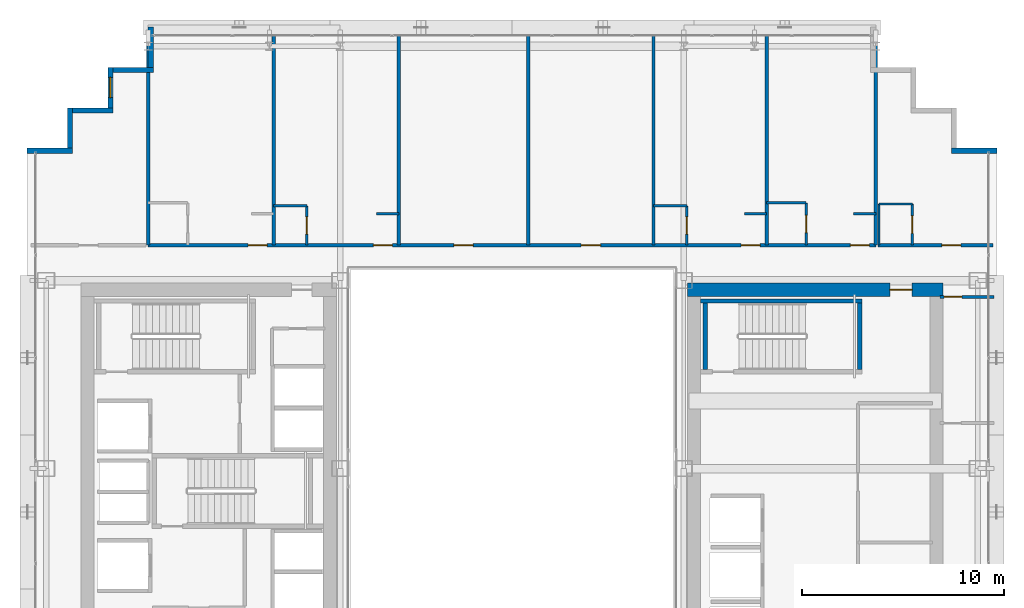
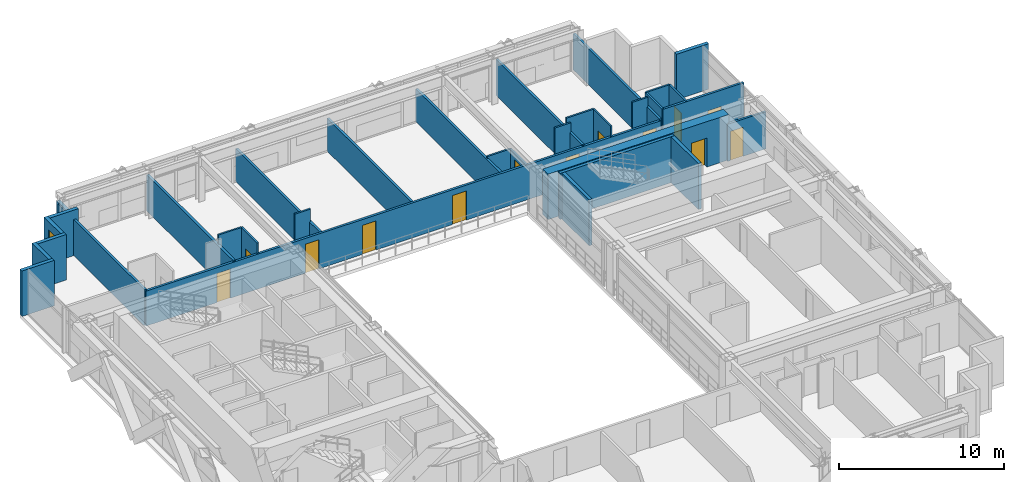
# One storey, part 34 of 39: 33 walls, 13 doors, 1 window, 14 openings.
"""IFC4 building model written with IfcOpenShell, lengths in metres."""

from ifc_helpers import new_model, si_unit, direction, frame, frame_2d, origin, place, context, subcontext, project, spatial, rectangle, extrude, source, transform, mapped, material, layer, layer_set, type_object, element, fill, save


model = new_model("IFC4")

# Units and contexts
model_context = context("Model", 3, precision=1e-05, world=origin(), true_north=direction((0.0, 1.0)))
body_context = subcontext(model_context, "Body", "Model", "MODEL_VIEW")
ifc_project = project(units=[si_unit("LENGTHUNIT", "METRE"), si_unit("AREAUNIT", "SQUARE_METRE"), si_unit("VOLUMEUNIT", "CUBIC_METRE"), si_unit("PLANEANGLEUNIT", "RADIAN"), si_unit("MASSUNIT", "GRAM", prefix="KILO")], contexts=[model_context])

# Site, building, storey
site_placement = place(None, origin())
site = spatial("IfcSite", under=ifc_project, at=site_placement, CompositionType="ELEMENT")
building_placement = place(site_placement, origin())
building = spatial("IfcBuilding", under=site, at=building_placement, Name="Ocotamira Hotel", CompositionType="ELEMENT")
storey_placement = place(building_placement, frame((0.0, 0.0, 126.0)))
storey = spatial("IfcBuildingStorey", under=building, at=storey_placement, Name="L31", CompositionType="ELEMENT", Elevation=126.0)

# Wall, opening, door
ifc_material_1 = material(Name="Concrete C60/75", Category="concrete")
ifc_layer_1 = layer(ifc_material_1, 0.64990234375)
ifc_layer_set_1 = layer_set([ifc_layer_1], Name="Concrete C60/75")
wall_type_1 = type_object("IfcWallType", Name="WL-CORE-650", PredefinedType="SHEAR", material=ifc_layer_set_1)
wall_1_placement = place(storey_placement, frame((40.675048828125, 37.0, 0.0), z_axis=(0.0, 0.0, 1.0), x_axis=(1.0, 0.0, 0.0)))
wall_1 = element("IfcWall", 1, at=wall_1_placement, inside=storey, type_object=wall_type_1, Name="L31 Shear Core Wall ECORE-N", PredefinedType="SHEAR", context=body_context, shape_type="SweptSolid", body=[
    extrude(rectangle(XDim=12.64990234375, YDim=0.64990234375, at=frame_2d((6.324951171875, 0.0))), origin(), (0.0, 0.0, 1.0), 3.360107421875),
])
opening_1_placement = place(wall_1_placement, frame((10.02490234375, 0.0, 0.0)))
opening_1 = element("IfcOpeningElement", 2, at=opening_1_placement, cuts=wall_1, Name="Opening D-FR1", PredefinedType="OPENING", context=body_context, shape_type="SweptSolid", body=[
    extrude(rectangle(XDim=1.10009765625, YDim=2.14990234375, at=frame_2d((0.550048828125, 1.074951171875))), frame((0.0, 0.3349609375, 0.0), z_axis=(0.0, -1.0, 0.0), x_axis=(1.0, 0.0, 0.0)), (0.0, 0.0, 1.0), 0.669921875),
])
ifc_material_2 = material(Name="Fire-rated acoustic timber-veneer door", Category="wood")
door_type_1 = type_object("IfcDoorType", Name="DR-FIRE-1100", OperationType="NOTDEFINED", PredefinedType="DOOR", material=ifc_material_2)
shared_shape_1 = source(origin(), body_context, "Body", "SweptSolid", [
    extrude(rectangle(XDim=1.10009765625, YDim=2.14990234375, at=frame_2d((0.550048828125, 1.074951171875))), frame((0.0, 0.02490234375, 0.0), z_axis=(0.0, -1.0, 0.0), x_axis=(1.0, 0.0, 0.0)), (0.0, 0.0, 1.0), 0.050048828125),
])
door_1_placement = place(opening_1_placement, origin())
door_1 = element("IfcDoor", 3, at=door_1_placement, inside=storey, type_object=door_type_1, Name="L31 Door ID-L31-ELOB-N-D [ID-L31-ELOB-N-D]", OperationType="SINGLE_SWING_LEFT", OverallHeight=2.14990234375, OverallWidth=1.10009765625, PredefinedType="DOOR", context=body_context, shape_type="MappedRepresentation", body=[
    mapped(shared_shape_1, transform((0.0, 0.0, 0.0), scale=1.0)),
])
fill(opening_1, door_1)

# Walls
ifc_material_3 = material(Name="Precast concrete C45/55", Category="concrete")
ifc_layer_2 = layer(ifc_material_3, 0.25)
ifc_layer_set_2 = layer_set([ifc_layer_2], Name="Precast concrete C45/55")
wall_type_2 = type_object("IfcWallType", Name="WL-EXT-SER-250", PredefinedType="SOLIDWALL", material=ifc_layer_set_2)
wall_2_placement = place(storey_placement, frame((56.0, 43.875, 0.0), z_axis=(0.0, 0.0, 1.0), x_axis=(-1.0, 0.0, 0.0)))
element("IfcWall", 4, at=wall_2_placement, inside=storey, type_object=wall_type_2, Name="L31 Serrated Corner Wall 07", PredefinedType="SOLIDWALL", context=body_context, shape_type="SweptSolid", body=[
    extrude(rectangle(XDim=2.25, YDim=0.25, at=frame_2d((1.125, 0.0))), origin(), (0.0, 0.0, 1.0), 3.360107421875),
])
wall_3_placement = place(storey_placement, frame((14.125, 50.0, 0.0), z_axis=(0.0, 0.0, 1.0), x_axis=(0.0, -1.0, 0.0)))
element("IfcWall", 5, at=wall_3_placement, inside=storey, type_object=wall_type_2, Name="L31 Serrated Corner Wall 13", PredefinedType="SOLIDWALL", context=body_context, shape_type="SweptSolid", body=[
    extrude(rectangle(XDim=2.0, YDim=0.25, at=frame_2d((1.0, 0.0))), origin(), (0.0, 0.0, 1.0), 2.6669921875),
])
wall_4_placement = place(storey_placement, frame((14.25, 47.875, 0.0), z_axis=(0.0, 0.0, 1.0), x_axis=(-1.0, 0.0, 0.0)))
element("IfcWall", 6, at=wall_4_placement, inside=storey, type_object=wall_type_2, Name="L31 Serrated Corner Wall 14", PredefinedType="SOLIDWALL", context=body_context, shape_type="SweptSolid", body=[
    extrude(rectangle(XDim=2.0, YDim=0.25, at=frame_2d((1.0, 0.0))), origin(), (0.0, 0.0, 1.0), 3.360107421875),
])

# Wall, opening, window
wall_5_placement = place(storey_placement, frame((12.125, 48.0, 0.0), z_axis=(0.0, 0.0, 1.0), x_axis=(0.0, -1.0, 0.0)))
wall_5 = element("IfcWall", 7, at=wall_5_placement, inside=storey, type_object=wall_type_2, Name="L31 Serrated Corner Wall 15", PredefinedType="SOLIDWALL", context=body_context, shape_type="SweptSolid", body=[
    extrude(rectangle(XDim=2.0, YDim=0.25, at=frame_2d((1.0, 0.0))), origin(), (0.0, 0.0, 1.0), 3.360107421875),
])
opening_2_placement = place(wall_5_placement, frame((0.5, 0.0, 0.85009765625)))
opening_2 = element("IfcOpeningElement", 8, at=opening_2_placement, cuts=wall_5, Name="Opening WN-2", PredefinedType="OPENING", context=body_context, shape_type="SweptSolid", body=[
    extrude(rectangle(XDim=1.0, YDim=1.89990234375, at=frame_2d((0.5, 0.949951171875))), frame((0.0, 0.135009765625, 0.0), z_axis=(0.0, -1.0, 0.0), x_axis=(1.0, 0.0, 0.0)), (0.0, 0.0, 1.0), 0.27001953125),
])
ifc_material_4 = material(Name="Double-silver low-E solar glass", Category="glass")
window_type = type_object("IfcWindowType", Name="WIN-SER-1100", PartitioningType="SINGLE_PANEL", PredefinedType="WINDOW", material=ifc_material_4)
shared_shape_2 = source(origin(), body_context, "Body", "SweptSolid", [
    extrude(rectangle(XDim=1.0, YDim=1.89990234375, at=frame_2d((0.5, 0.949951171875))), frame((0.0, 0.030029296875, 0.0), z_axis=(0.0, -1.0, 0.0), x_axis=(1.0, 0.0, 0.0)), (0.0, 0.0, 1.0), 0.06005859375),
])
window_placement = place(opening_2_placement, origin())
window = element("IfcWindow", 9, at=window_placement, inside=storey, type_object=window_type, Name="L31 Serrated Corner Window 15", OverallHeight=1.89990234375, OverallWidth=1.0, PartitioningType="SINGLE_PANEL", PredefinedType="WINDOW", context=body_context, shape_type="MappedRepresentation", body=[
    mapped(shared_shape_2, transform((0.0, 0.0, 0.0), scale=1.0)),
])
fill(opening_2, window)

# Walls
for number, where, z_axis, x_axis, name in (
    (10, (12.25, 45.875, 0.0), (0.0, 0.0, 1.0), (-1.0, 0.0, 0.0), "L31 Serrated Corner Wall 16"),
    (11, (10.125, 46.0, 0.0), (0.0, 0.0, 1.0), (0.0, -1.0, 0.0), "L31 Serrated Corner Wall 17"),
):
    element("IfcWall", number, at=place(storey_placement, frame(where, z_axis=z_axis, x_axis=x_axis)), inside=storey, type_object=wall_type_2, Name=name, PredefinedType="SOLIDWALL", context=body_context, shape_type="SweptSolid", body=[
        extrude(rectangle(XDim=2.0, YDim=0.25, at=frame_2d((1.0, 0.0))), origin(), (0.0, 0.0, 1.0), 3.360107421875),
    ])
wall_6_placement = place(storey_placement, frame((10.25, 43.875, 0.0), z_axis=(0.0, 0.0, 1.0), x_axis=(-1.0, 0.0, 0.0)))
element("IfcWall", 12, at=wall_6_placement, inside=storey, type_object=wall_type_2, Name="L31 Serrated Corner Wall 18", PredefinedType="SOLIDWALL", context=body_context, shape_type="SweptSolid", body=[
    extrude(rectangle(XDim=2.25, YDim=0.25, at=frame_2d((1.125, 0.0))), origin(), (0.0, 0.0, 1.0), 3.360107421875),
])

# Wall, opening, door
ifc_material_5 = material(Name="Acoustic double-layer fire gypsum board partition", Category="gypsum")
ifc_layer_3 = layer(ifc_material_5, 0.159912109375)
ifc_layer_set_3 = layer_set([ifc_layer_3], Name="Acoustic double-layer fire gypsum board partition")
wall_type_3 = type_object("IfcWallType", Name="WL-FIRE-160", PredefinedType="PARTITIONING", material=ifc_layer_set_3)
wall_7_placement = place(storey_placement, frame((50.1201171875, 39.199951171875, 0.0), z_axis=(0.0, 0.0, 1.0), x_axis=(1.0, 0.0, 0.0)))
wall_7 = element("IfcWall", 13, at=wall_7_placement, inside=storey, type_object=wall_type_3, Name="L31 Interior Wall PW-L31-Z2C-CNE-CW", PredefinedType="PARTITIONING", context=body_context, shape_type="SweptSolid", body=[
    extrude(rectangle(XDim=5.679931640625, YDim=0.159912109375, at=frame_2d((2.83984375, 0.0))), origin(), (0.0, 0.0, 1.0), 3.360107421875),
])
opening_3_placement = place(wall_7_placement, frame((3.14990234375, 0.0, 0.0)))
opening_3 = element("IfcOpeningElement", 14, at=opening_3_placement, cuts=wall_7, Name="Opening D-GR1", PredefinedType="OPENING", context=body_context, shape_type="SweptSolid", body=[
    extrude(rectangle(XDim=0.93994140625, YDim=2.14990234375, at=frame_2d((0.469970703125, 1.074951171875))), frame((0.0, 0.08984375, 0.0), z_axis=(0.0, -1.0, 0.0), x_axis=(1.0, 0.0, 0.0)), (0.0, 0.0, 1.0), 0.179931640625),
])
ifc_material_6 = material(Name="Solid-core walnut suite entrance fire door", Category="wood")
door_type_2 = type_object("IfcDoorType", Name="DR-GUEST-940", OperationType="NOTDEFINED", PredefinedType="DOOR", material=ifc_material_6)
shared_shape_3 = source(origin(), body_context, "Body", "SweptSolid", [
    extrude(rectangle(XDim=0.93994140625, YDim=2.14990234375, at=frame_2d((0.469970703125, 1.074951171875))), frame((0.0, 0.02490234375, 0.0), z_axis=(0.0, -1.0, 0.0), x_axis=(1.0, 0.0, 0.0)), (0.0, 0.0, 1.0), 0.050048828125),
])
door_2_placement = place(opening_3_placement, origin())
door_2 = element("IfcDoor", 15, at=door_2_placement, inside=storey, type_object=door_type_2, Name="L31 Door ID-L31-Z2C-CNE-CD [ID-L31-Z2C-CNE-CD]", OperationType="SINGLE_SWING_RIGHT", OverallHeight=2.14990234375, OverallWidth=0.93994140625, PredefinedType="DOOR", context=body_context, shape_type="MappedRepresentation", body=[
    mapped(shared_shape_3, transform((0.0, 0.0, 0.0), scale=1.0)),
])
fill(opening_3, door_2)

# Wall, openings, doors
wall_8_placement = place(storey_placement, frame((14.0, 39.199951171875, 0.0), z_axis=(0.0, 0.0, 1.0), x_axis=(1.0, 0.0, 0.0)))
wall_8 = element("IfcWall", 16, at=wall_8_placement, inside=storey, type_object=wall_type_3, Name="L31 Interior Wall PW-L31-Z2CN-CORRW", PredefinedType="PARTITIONING", context=body_context, shape_type="SweptSolid", body=[
    extrude(rectangle(XDim=36.0, YDim=0.159912109375, at=frame_2d((18.0, 0.0))), origin(), (0.0, 0.0, 1.0), 2.5810546875),
])
opening_4_placement = place(wall_8_placement, frame((4.93994140625, 0.0, 0.0)))
opening_4 = element("IfcOpeningElement", 17, at=opening_4_placement, cuts=wall_8, Name="Opening D-GR1", PredefinedType="OPENING", context=body_context, shape_type="SweptSolid", body=[
    extrude(rectangle(XDim=0.93994140625, YDim=2.14990234375, at=frame_2d((0.469970703125, 1.074951171875))), frame((0.0, 0.08984375, 0.0), z_axis=(0.0, -1.0, 0.0), x_axis=(1.0, 0.0, 0.0)), (0.0, 0.0, 1.0), 0.179931640625),
])
opening_5_placement = place(wall_8_placement, frame((11.139892578125, 0.0, 0.0)))
opening_5 = element("IfcOpeningElement", 18, at=opening_5_placement, cuts=wall_8, Name="Opening D-GR1", PredefinedType="OPENING", context=body_context, shape_type="SweptSolid", body=[
    extrude(rectangle(XDim=0.93994140625, YDim=2.14990234375, at=frame_2d((0.469970703125, 1.074951171875))), frame((0.0, 0.08984375, 0.0), z_axis=(0.0, -1.0, 0.0), x_axis=(1.0, 0.0, 0.0)), (0.0, 0.0, 1.0), 0.179931640625),
])
opening_6_placement = place(wall_8_placement, frame((15.1201171875, 0.0, 0.0)))
opening_6 = element("IfcOpeningElement", 19, at=opening_6_placement, cuts=wall_8, Name="Opening D-SV4", PredefinedType="OPENING", context=body_context, shape_type="SweptSolid", body=[
    extrude(rectangle(XDim=0.9599609375, YDim=2.14990234375, at=frame_2d((0.47998046875, 1.074951171875))), frame((0.0, 0.08984375, 0.0), z_axis=(0.0, -1.0, 0.0), x_axis=(1.0, 0.0, 0.0)), (0.0, 0.0, 1.0), 0.179931640625),
])
opening_7_placement = place(wall_8_placement, frame((21.419921875, 0.0, 0.0)))
opening_7 = element("IfcOpeningElement", 20, at=opening_7_placement, cuts=wall_8, Name="Opening D-SV4", PredefinedType="OPENING", context=body_context, shape_type="SweptSolid", body=[
    extrude(rectangle(XDim=0.9599609375, YDim=2.14990234375, at=frame_2d((0.47998046875, 1.074951171875))), frame((0.0, 0.08984375, 0.0), z_axis=(0.0, -1.0, 0.0), x_axis=(1.0, 0.0, 0.0)), (0.0, 0.0, 1.0), 0.179931640625),
])
opening_8_placement = place(wall_8_placement, frame((29.340087890625, 0.0, 0.0)))
opening_8 = element("IfcOpeningElement", 21, at=opening_8_placement, cuts=wall_8, Name="Opening D-GR1", PredefinedType="OPENING", context=body_context, shape_type="SweptSolid", body=[
    extrude(rectangle(XDim=0.93994140625, YDim=2.14990234375, at=frame_2d((0.469970703125, 1.074951171875))), frame((0.0, 0.08984375, 0.0), z_axis=(0.0, -1.0, 0.0), x_axis=(1.0, 0.0, 0.0)), (0.0, 0.0, 1.0), 0.179931640625),
])
opening_9_placement = place(wall_8_placement, frame((34.739990234375, 0.0, 0.0)))
opening_9 = element("IfcOpeningElement", 22, at=opening_9_placement, cuts=wall_8, Name="Opening D-GR1", PredefinedType="OPENING", context=body_context, shape_type="SweptSolid", body=[
    extrude(rectangle(XDim=0.93994140625, YDim=2.14990234375, at=frame_2d((0.469970703125, 1.074951171875))), frame((0.0, 0.08984375, 0.0), z_axis=(0.0, -1.0, 0.0), x_axis=(1.0, 0.0, 0.0)), (0.0, 0.0, 1.0), 0.179931640625),
])
ifc_material_7 = material(Name="Fire-rated accessible walnut salon door", Category="wood")
door_type_3 = type_object("IfcDoorType", Name="DR-SERV-960", OperationType="NOTDEFINED", PredefinedType="DOOR", material=ifc_material_7)
shared_shape_4 = source(origin(), body_context, "Body", "SweptSolid", [
    extrude(rectangle(XDim=0.9599609375, YDim=2.14990234375, at=frame_2d((0.47998046875, 1.074951171875))), frame((0.0, 0.02490234375, 0.0), z_axis=(0.0, -1.0, 0.0), x_axis=(1.0, 0.0, 0.0)), (0.0, 0.0, 1.0), 0.050048828125),
])
door_3_placement = place(opening_6_placement, origin())
door_3 = element("IfcDoor", 23, at=door_3_placement, inside=storey, type_object=door_type_3, Name="L31 Door ID-L31-Z2CN-AMD3 [ID-L31-Z2CN-AMD3]", OperationType="SINGLE_SWING_LEFT", OverallHeight=2.14990234375, OverallWidth=0.9599609375, PredefinedType="DOOR", context=body_context, shape_type="MappedRepresentation", body=[
    mapped(shared_shape_4, transform((0.0, 0.0, 0.0), scale=1.0)),
])
fill(opening_6, door_3)
door_4_placement = place(opening_7_placement, origin())
door_4 = element("IfcDoor", 24, at=door_4_placement, inside=storey, type_object=door_type_3, Name="L31 Door ID-L31-Z2CN-AMD4 [ID-L31-Z2CN-AMD4]", OperationType="SINGLE_SWING_RIGHT", OverallHeight=2.14990234375, OverallWidth=0.9599609375, PredefinedType="DOOR", context=body_context, shape_type="MappedRepresentation", body=[
    mapped(shared_shape_4, transform((0.0, 0.0, 0.0), scale=1.0)),
])
fill(opening_7, door_4)
door_5_placement = place(opening_4_placement, origin())
door_5 = element("IfcDoor", 25, at=door_5_placement, inside=storey, type_object=door_type_2, Name="L31 Door ID-L31-Z2CN-RMD1 [ID-L31-Z2CN-RMD1]", OperationType="SINGLE_SWING_LEFT", OverallHeight=2.14990234375, OverallWidth=0.93994140625, PredefinedType="DOOR", context=body_context, shape_type="MappedRepresentation", body=[
    mapped(shared_shape_3, transform((0.0, 0.0, 0.0), scale=1.0)),
])
fill(opening_4, door_5)
door_6_placement = place(opening_5_placement, origin())
door_6 = element("IfcDoor", 26, at=door_6_placement, inside=storey, type_object=door_type_2, Name="L31 Door ID-L31-Z2CN-RMD2 [ID-L31-Z2CN-RMD2]", OperationType="SINGLE_SWING_RIGHT", OverallHeight=2.14990234375, OverallWidth=0.93994140625, PredefinedType="DOOR", context=body_context, shape_type="MappedRepresentation", body=[
    mapped(shared_shape_3, transform((0.0, 0.0, 0.0), scale=1.0)),
])
fill(opening_5, door_6)
door_7_placement = place(opening_8_placement, origin())
door_7 = element("IfcDoor", 27, at=door_7_placement, inside=storey, type_object=door_type_2, Name="L31 Door ID-L31-Z2CN-RMD5 [ID-L31-Z2CN-RMD5]", OperationType="SINGLE_SWING_LEFT", OverallHeight=2.14990234375, OverallWidth=0.93994140625, PredefinedType="DOOR", context=body_context, shape_type="MappedRepresentation", body=[
    mapped(shared_shape_3, transform((0.0, 0.0, 0.0), scale=1.0)),
])
fill(opening_8, door_7)
door_8_placement = place(opening_9_placement, origin())
door_8 = element("IfcDoor", 28, at=door_8_placement, inside=storey, type_object=door_type_2, Name="L31 Door ID-L31-Z2CN-RMD6 [ID-L31-Z2CN-RMD6]", OperationType="SINGLE_SWING_RIGHT", OverallHeight=2.14990234375, OverallWidth=0.93994140625, PredefinedType="DOOR", context=body_context, shape_type="MappedRepresentation", body=[
    mapped(shared_shape_3, transform((0.0, 0.0, 0.0), scale=1.0)),
])
fill(opening_9, door_8)

# Wall, opening, door
ifc_material_8 = material(Name="Moisture-resistant en-suite tile and gypsum partition", Category="gypsum")
ifc_layer_4 = layer(ifc_material_8, 0.1201171875)
ifc_layer_set_4 = layer_set([ifc_layer_4], Name="Moisture-resistant en-suite tile and gypsum partition")
wall_type_4 = type_object("IfcWallType", Name="WL-PART-120", PredefinedType="PARTITIONING", material=ifc_layer_set_4)
wall_9_placement = place(storey_placement, frame((51.81005859375, 39.199951171875, 0.0), z_axis=(0.0, 0.0, 1.0), x_axis=(0.0, 1.0, 0.0)))
wall_9 = element("IfcWall", 29, at=wall_9_placement, inside=storey, type_object=wall_type_4, Name="L31 Interior Wall PW-L31-Z2C-CNE-BE", PredefinedType="PARTITIONING", context=body_context, shape_type="SweptSolid", body=[
    extrude(rectangle(XDim=2.0400390625, YDim=0.1201171875, at=frame_2d((1.02001953125, 0.0))), origin(), (0.0, 0.0, 1.0), 3.360107421875),
])
opening_10_placement = place(wall_9_placement, frame((0.590087890625, 0.0, 0.0)))
opening_10 = element("IfcOpeningElement", 30, at=opening_10_placement, cuts=wall_9, Name="Opening D-BA1", PredefinedType="OPENING", context=body_context, shape_type="SweptSolid", body=[
    extrude(rectangle(XDim=0.860107421875, YDim=2.10009765625, at=frame_2d((0.43017578125, 1.050048828125))), frame((0.0, 0.070068359375, 0.0), z_axis=(0.0, -1.0, 0.0), x_axis=(1.0, 0.0, 0.0)), (0.0, 0.0, 1.0), 0.14013671875),
])
ifc_material_9 = material(Name="Moisture-sealed en-suite timber door", Category="wood")
door_type_4 = type_object("IfcDoorType", Name="DR-BATH-860", OperationType="NOTDEFINED", PredefinedType="DOOR", material=ifc_material_9)
shared_shape_5 = source(origin(), body_context, "Body", "SweptSolid", [
    extrude(rectangle(XDim=0.860107421875, YDim=2.10009765625, at=frame_2d((0.43017578125, 1.050048828125))), frame((0.0, 0.02490234375, 0.0), z_axis=(0.0, -1.0, 0.0), x_axis=(1.0, 0.0, 0.0)), (0.0, 0.0, 1.0), 0.050048828125),
])
door_9_placement = place(opening_10_placement, origin())
door_9 = element("IfcDoor", 31, at=door_9_placement, inside=storey, type_object=door_type_4, Name="L31 Door ID-L31-Z2C-CNE-BD [ID-L31-Z2C-CNE-BD]", OperationType="SINGLE_SWING_LEFT", OverallHeight=2.10009765625, OverallWidth=0.860107421875, PredefinedType="DOOR", context=body_context, shape_type="MappedRepresentation", body=[
    mapped(shared_shape_5, transform((0.0, 0.0, 0.0), scale=1.0)),
])
fill(opening_10, door_9)

# Walls
wall_10_placement = place(storey_placement, frame((50.159912109375, 39.199951171875, 0.0), z_axis=(0.0, 0.0, 1.0), x_axis=(0.0, 1.0, 0.0)))
element("IfcWall", 32, at=wall_10_placement, inside=storey, type_object=wall_type_4, Name="L31 Interior Wall PW-L31-Z2C-CNE-BW", PredefinedType="PARTITIONING", context=body_context, shape_type="SweptSolid", body=[
    extrude(rectangle(XDim=2.0400390625, YDim=0.1201171875, at=frame_2d((1.02001953125, 0.0))), origin(), (0.0, 0.0, 1.0), 3.360107421875),
])
wall_11_placement = place(storey_placement, frame((50.159912109375, 41.239990234375, 0.0), z_axis=(0.0, 0.0, 1.0), x_axis=(1.0, 0.0, 0.0)))
element("IfcWall", 33, at=wall_11_placement, inside=storey, type_object=wall_type_4, Name="L31 Interior Wall PW-L31-Z2C-CNE-BH", PredefinedType="PARTITIONING", context=body_context, shape_type="SweptSolid", body=[
    extrude(rectangle(XDim=1.650146484375, YDim=0.1201171875, at=frame_2d((0.8251953125, 0.0))), origin(), (0.0, 0.0, 1.0), 3.360107421875),
])

# Wall, opening, door
wall_12_placement = place(storey_placement, frame((21.85009765625, 39.199951171875, 0.0), z_axis=(0.0, 0.0, 1.0), x_axis=(0.0, 1.0, 0.0)))
wall_12 = element("IfcWall", 34, at=wall_12_placement, inside=storey, type_object=wall_type_4, Name="L31 Interior Wall PW-L31-Z2CN-BAE2", PredefinedType="PARTITIONING", context=body_context, shape_type="SweptSolid", body=[
    extrude(rectangle(XDim=1.949951171875, YDim=0.1201171875, at=frame_2d((0.97509765625, 0.0))), origin(), (0.0, 0.0, 1.0), 3.360107421875),
])
opening_11_placement = place(wall_12_placement, frame((0.544921875, 0.0, 0.0)))
opening_11 = element("IfcOpeningElement", 35, at=opening_11_placement, cuts=wall_12, Name="Opening D-BA1", PredefinedType="OPENING", context=body_context, shape_type="SweptSolid", body=[
    extrude(rectangle(XDim=0.860107421875, YDim=2.10009765625, at=frame_2d((0.43017578125, 1.050048828125))), frame((0.0, 0.070068359375, 0.0), z_axis=(0.0, -1.0, 0.0), x_axis=(1.0, 0.0, 0.0)), (0.0, 0.0, 1.0), 0.14013671875),
])
door_10_placement = place(opening_11_placement, origin())
door_10 = element("IfcDoor", 36, at=door_10_placement, inside=storey, type_object=door_type_4, Name="L31 Door ID-L31-Z2CN-BAD2 [ID-L31-Z2CN-BAD2]", OperationType="SINGLE_SWING_LEFT", OverallHeight=2.10009765625, OverallWidth=0.860107421875, PredefinedType="DOOR", context=body_context, shape_type="MappedRepresentation", body=[
    mapped(shared_shape_5, transform((0.0, 0.0, 0.0), scale=1.0)),
])
fill(opening_11, door_10)

# Walls
wall_13_placement = place(storey_placement, frame((20.199951171875, 41.14990234375, 0.0), z_axis=(0.0, 0.0, 1.0), x_axis=(1.0, 0.0, 0.0)))
element("IfcWall", 37, at=wall_13_placement, inside=storey, type_object=wall_type_4, Name="L31 Interior Wall PW-L31-Z2CN-BAN2", PredefinedType="PARTITIONING", context=body_context, shape_type="SweptSolid", body=[
    extrude(rectangle(XDim=1.650146484375, YDim=0.1201171875, at=frame_2d((0.8251953125, 0.0))), origin(), (0.0, 0.0, 1.0), 3.360107421875),
])
wall_14_placement = place(storey_placement, frame((25.300048828125, 40.75, 0.0), z_axis=(0.0, 0.0, 1.0), x_axis=(1.0, 0.0, 0.0)))
element("IfcWall", 38, at=wall_14_placement, inside=storey, type_object=wall_type_4, Name="L31 Interior Wall PW-L31-Z2CN-DRN2", PredefinedType="PARTITIONING", context=body_context, shape_type="SweptSolid", body=[
    extrude(rectangle(XDim=1.099853515625, YDim=0.1201171875, at=frame_2d((0.5498046875, 0.0))), origin(), (0.0, 0.0, 1.0), 3.360107421875),
])

# Wall, opening, door
wall_15_placement = place(storey_placement, frame((40.64990234375, 39.199951171875, 0.0), z_axis=(0.0, 0.0, 1.0), x_axis=(0.0, 1.0, 0.0)))
wall_15 = element("IfcWall", 39, at=wall_15_placement, inside=storey, type_object=wall_type_4, Name="L31 Interior Wall PW-L31-Z2CN-BAE5", PredefinedType="PARTITIONING", context=body_context, shape_type="SweptSolid", body=[
    extrude(rectangle(XDim=1.949951171875, YDim=0.1201171875, at=frame_2d((0.97509765625, 0.0))), origin(), (0.0, 0.0, 1.0), 2.5810546875),
])
opening_12_placement = place(wall_15_placement, frame((0.544921875, 0.0, 0.0)))
opening_12 = element("IfcOpeningElement", 40, at=opening_12_placement, cuts=wall_15, Name="Opening D-BA1", PredefinedType="OPENING", context=body_context, shape_type="SweptSolid", body=[
    extrude(rectangle(XDim=0.860107421875, YDim=2.10009765625, at=frame_2d((0.43017578125, 1.050048828125))), frame((0.0, 0.070068359375, 0.0), z_axis=(0.0, -1.0, 0.0), x_axis=(1.0, 0.0, 0.0)), (0.0, 0.0, 1.0), 0.14013671875),
])
door_11_placement = place(opening_12_placement, origin())
door_11 = element("IfcDoor", 41, at=door_11_placement, inside=storey, type_object=door_type_4, Name="L31 Door ID-L31-Z2CN-BAD5 [ID-L31-Z2CN-BAD5]", OperationType="SINGLE_SWING_RIGHT", OverallHeight=2.10009765625, OverallWidth=0.860107421875, PredefinedType="DOOR", context=body_context, shape_type="MappedRepresentation", body=[
    mapped(shared_shape_5, transform((0.0, 0.0, 0.0), scale=1.0)),
])
fill(opening_12, door_11)

# Walls
wall_16_placement = place(storey_placement, frame((39.0, 41.14990234375, 0.0), z_axis=(0.0, 0.0, 1.0), x_axis=(1.0, 0.0, 0.0)))
element("IfcWall", 42, at=wall_16_placement, inside=storey, type_object=wall_type_4, Name="L31 Interior Wall PW-L31-Z2CN-BAN5", PredefinedType="PARTITIONING", context=body_context, shape_type="SweptSolid", body=[
    extrude(rectangle(XDim=1.64990234375, YDim=0.1201171875, at=frame_2d((0.824951171875, 0.0))), origin(), (0.0, 0.0, 1.0), 2.5810546875),
])
wall_17_placement = place(storey_placement, frame((43.5, 40.75, 0.0), z_axis=(0.0, 0.0, 1.0), x_axis=(1.0, 0.0, 0.0)))
element("IfcWall", 43, at=wall_17_placement, inside=storey, type_object=wall_type_4, Name="L31 Interior Wall PW-L31-Z2CN-DRN5", PredefinedType="PARTITIONING", context=body_context, shape_type="SweptSolid", body=[
    extrude(rectangle(XDim=1.10009765625, YDim=0.1201171875, at=frame_2d((0.550048828125, 0.0))), origin(), (0.0, 0.0, 1.0), 3.360107421875),
])

# Wall, opening, door
wall_18_placement = place(storey_placement, frame((46.550048828125, 39.199951171875, 0.0), z_axis=(0.0, 0.0, 1.0), x_axis=(0.0, 1.0, 0.0)))
wall_18 = element("IfcWall", 44, at=wall_18_placement, inside=storey, type_object=wall_type_4, Name="L31 Interior Wall PW-L31-Z2CN-BAE6", PredefinedType="PARTITIONING", context=body_context, shape_type="SweptSolid", body=[
    extrude(rectangle(XDim=2.10009765625, YDim=0.1201171875, at=frame_2d((1.050048828125, 0.0))), origin(), (0.0, 0.0, 1.0), 3.360107421875),
])
opening_13_placement = place(wall_18_placement, frame((0.6201171875, 0.0, 0.0)))
opening_13 = element("IfcOpeningElement", 45, at=opening_13_placement, cuts=wall_18, Name="Opening D-BA1", PredefinedType="OPENING", context=body_context, shape_type="SweptSolid", body=[
    extrude(rectangle(XDim=0.860107421875, YDim=2.10009765625, at=frame_2d((0.43017578125, 1.050048828125))), frame((0.0, 0.070068359375, 0.0), z_axis=(0.0, -1.0, 0.0), x_axis=(1.0, 0.0, 0.0)), (0.0, 0.0, 1.0), 0.14013671875),
])
door_12_placement = place(opening_13_placement, origin())
door_12 = element("IfcDoor", 46, at=door_12_placement, inside=storey, type_object=door_type_4, Name="L31 Door ID-L31-Z2CN-BAD6 [ID-L31-Z2CN-BAD6]", OperationType="SINGLE_SWING_LEFT", OverallHeight=2.10009765625, OverallWidth=0.860107421875, PredefinedType="DOOR", context=body_context, shape_type="MappedRepresentation", body=[
    mapped(shared_shape_5, transform((0.0, 0.0, 0.0), scale=1.0)),
])
fill(opening_13, door_12)

# Walls
wall_19_placement = place(storey_placement, frame((44.60009765625, 41.300048828125, 0.0), z_axis=(0.0, 0.0, 1.0), x_axis=(1.0, 0.0, 0.0)))
element("IfcWall", 47, at=wall_19_placement, inside=storey, type_object=wall_type_4, Name="L31 Interior Wall PW-L31-Z2CN-BAN6", PredefinedType="PARTITIONING", context=body_context, shape_type="SweptSolid", body=[
    extrude(rectangle(XDim=1.949951171875, YDim=0.1201171875, at=frame_2d((0.97509765625, 0.0))), origin(), (0.0, 0.0, 1.0), 3.360107421875),
])
wall_20_placement = place(storey_placement, frame((48.89990234375, 40.75, 0.0), z_axis=(0.0, 0.0, 1.0), x_axis=(1.0, 0.0, 0.0)))
element("IfcWall", 48, at=wall_20_placement, inside=storey, type_object=wall_type_4, Name="L31 Interior Wall PW-L31-Z2CN-DRN6", PredefinedType="PARTITIONING", context=body_context, shape_type="SweptSolid", body=[
    extrude(rectangle(XDim=1.10009765625, YDim=0.1201171875, at=frame_2d((0.550048828125, 0.0))), origin(), (0.0, 0.0, 1.0), 3.360107421875),
])

# Wall, opening, door
ifc_material_10 = material(Name="Acoustic hospitality gypsum board partition", Category="gypsum")
ifc_layer_5 = layer(ifc_material_10, 0.14990234375)
ifc_layer_set_5 = layer_set([ifc_layer_5], Name="Acoustic hospitality gypsum board partition")
wall_type_5 = type_object("IfcWallType", Name="WL-PART-150", PredefinedType="PARTITIONING", material=ifc_layer_set_5)
wall_21_placement = place(storey_placement, frame((53.179931640625, 36.639892578125, 0.0), z_axis=(0.0, 0.0, 1.0), x_axis=(1.0, 0.0, 0.0)))
wall_21 = element("IfcWall", 49, at=wall_21_placement, inside=storey, type_object=wall_type_5, Name="L31 Interior Wall PW-L31-Z2C-EF-WN", PredefinedType="PARTITIONING", context=body_context, shape_type="SweptSolid", body=[
    extrude(rectangle(XDim=2.66015625, YDim=0.14990234375, at=frame_2d((1.330078125, 0.0))), origin(), (0.0, 0.0, 1.0), 2.742919921875),
])
opening_14_placement = place(wall_21_placement, frame((0.199951171875, 0.0, 0.0)))
opening_14 = element("IfcOpeningElement", 50, at=opening_14_placement, cuts=wall_21, Name="Opening D-SV2", PredefinedType="OPENING", context=body_context, shape_type="SweptSolid", body=[
    extrude(rectangle(XDim=0.8798828125, YDim=2.14990234375, at=frame_2d((0.43994140625, 1.074951171875))), frame((0.0, 0.0849609375, 0.0), z_axis=(0.0, -1.0, 0.0), x_axis=(1.0, 0.0, 0.0)), (0.0, 0.0, 1.0), 0.169921875),
])
ifc_material_11 = material(Name="Fire-rated painted steel service door", Category="steel")
door_type_5 = type_object("IfcDoorType", Name="DR-SERV-880", OperationType="NOTDEFINED", PredefinedType="DOOR", material=ifc_material_11)
shared_shape_6 = source(origin(), body_context, "Body", "SweptSolid", [
    extrude(rectangle(XDim=0.8798828125, YDim=2.14990234375, at=frame_2d((0.43994140625, 1.074951171875))), frame((0.0, 0.02490234375, 0.0), z_axis=(0.0, -1.0, 0.0), x_axis=(1.0, 0.0, 0.0)), (0.0, 0.0, 1.0), 0.050048828125),
])
door_13_placement = place(opening_14_placement, origin())
door_13 = element("IfcDoor", 51, at=door_13_placement, inside=storey, type_object=door_type_5, Name="L31 Door ID-L31-Z2C-EF-DN [ID-L31-Z2C-EF-DN]", OperationType="SINGLE_SWING_LEFT", OverallHeight=2.14990234375, OverallWidth=0.8798828125, PredefinedType="DOOR", context=body_context, shape_type="MappedRepresentation", body=[
    mapped(shared_shape_6, transform((0.0, 0.0, 0.0), scale=1.0)),
])
fill(opening_14, door_13)

# Walls
ifc_material_12 = material(Name="Acoustic double-stud hospitality gypsum partition", Category="gypsum")
ifc_layer_6 = layer(ifc_material_12, 0.159912109375)
ifc_layer_set_6 = layer_set([ifc_layer_6], Name="Acoustic double-stud hospitality gypsum partition")
wall_type_6 = type_object("IfcWallType", Name="WL-PART-160", PredefinedType="PARTITIONING", material=ifc_layer_set_6)
for number, where, z_axis, x_axis, name in (
    (52, (14.0, 39.199951171875, 0.0), (0.0, 0.0, 1.0), (0.0, 1.0, 0.0), "L31 Interior Wall PW-L31-Z2CN-PW0"),
    (53, (50.0, 39.199951171875, 0.0), (0.0, 0.0, 1.0), (0.0, 1.0, 0.0), "L31 Interior Wall PW-L31-Z2CN-PWEND"),
):
    element("IfcWall", number, at=place(storey_placement, frame(where, z_axis=z_axis, x_axis=x_axis)), inside=storey, type_object=wall_type_6, Name=name, PredefinedType="PARTITIONING", context=body_context, shape_type="SweptSolid", body=[
        extrude(rectangle(XDim=10.43994140625, YDim=0.159912109375, at=frame_2d((5.219970703125, 0.0))), origin(), (0.0, 0.0, 1.0), 2.6669921875),
    ])
for number, where, z_axis, x_axis, name in (
    (54, (26.39990234375, 39.199951171875, 0.0), (0.0, 0.0, 1.0), (0.0, 1.0, 0.0), "L31 Interior Wall PW-L31-Z2CN-PW2"),
    (55, (32.800048828125, 39.199951171875, 0.0), (0.0, 0.0, 1.0), (0.0, 1.0, 0.0), "L31 Interior Wall PW-L31-Z2CN-PW3"),
    (56, (39.0, 39.199951171875, 0.0), (0.0, 0.0, 1.0), (0.0, 1.0, 0.0), "L31 Interior Wall PW-L31-Z2CN-PW4"),
):
    element("IfcWall", number, at=place(storey_placement, frame(where, z_axis=z_axis, x_axis=x_axis)), inside=storey, type_object=wall_type_6, Name=name, PredefinedType="PARTITIONING", context=body_context, shape_type="SweptSolid", body=[
        extrude(rectangle(XDim=10.43994140625, YDim=0.159912109375, at=frame_2d((5.219970703125, 0.0))), origin(), (0.0, 0.0, 1.0), 2.43310546875),
    ])
wall_22_placement = place(storey_placement, frame((44.60009765625, 39.199951171875, 0.0), z_axis=(0.0, 0.0, 1.0), x_axis=(0.0, 1.0, 0.0)))
element("IfcWall", 57, at=wall_22_placement, inside=storey, type_object=wall_type_6, Name="L31 Interior Wall PW-L31-Z2CN-PW5", PredefinedType="PARTITIONING", context=body_context, shape_type="SweptSolid", body=[
    extrude(rectangle(XDim=10.43994140625, YDim=0.159912109375, at=frame_2d((5.219970703125, 0.0))), origin(), (0.0, 0.0, 1.0), 2.6669921875),
])
ifc_material_13 = material(Name="Double-stud suite party gypsum partition", Category="gypsum")
ifc_layer_7 = layer(ifc_material_13, 0.175048828125)
ifc_layer_set_7 = layer_set([ifc_layer_7], Name="Double-stud suite party gypsum partition")
wall_type_7 = type_object("IfcWallType", Name="WL-PART-175", PredefinedType="PARTITIONING", material=ifc_layer_set_7)
wall_23_placement = place(storey_placement, frame((20.199951171875, 39.199951171875, 0.0), z_axis=(0.0, 0.0, 1.0), x_axis=(0.0, 1.0, 0.0)))
element("IfcWall", 58, at=wall_23_placement, inside=storey, type_object=wall_type_7, Name="L31 Interior Wall PW-L31-Z2CN-PW1", PredefinedType="PARTITIONING", context=body_context, shape_type="SweptSolid", body=[
    extrude(rectangle(XDim=10.43994140625, YDim=0.175048828125, at=frame_2d((5.219970703125, 0.0))), origin(), (0.0, 0.0, 1.0), 2.6669921875),
])
ifc_material_14 = material(Name="Concrete C50/60", Category="concrete")
ifc_layer_8 = layer(ifc_material_14, 0.219970703125)
ifc_layer_set_8 = layer_set([ifc_layer_8], Name="Concrete C50/60")
wall_type_8 = type_object("IfcWallType", Name="WL-STAIR-220", PredefinedType="SHEAR", material=ifc_layer_set_8)
wall_24_placement = place(storey_placement, frame((41.324951171875, 36.43994140625, 0.0), z_axis=(0.0, 0.0, 1.0), x_axis=(1.0, 0.0, 0.0)))
element("IfcWall", 59, at=wall_24_placement, inside=storey, type_object=wall_type_8, Name="L31 Stair Shaft Structural Wall ST-4-N", PredefinedType="SHEAR", context=body_context, shape_type="SweptSolid", body=[
    extrude(rectangle(XDim=7.985107421875, YDim=0.219970703125, at=frame_2d((3.99267578125, 0.0))), origin(), (0.0, 0.0, 1.0), 3.39990234375),
])
for number, where, z_axis, x_axis, name in (
    (60, (41.56005859375, 33.050048828125, 0.0), (0.0, 0.0, 1.0), (0.0, 1.0, 0.0), "L31 Stair Shaft Structural Wall ST-4-W"),
    (61, (49.199951171875, 33.050048828125, 0.0), (0.0, 0.0, 1.0), (0.0, 1.0, 0.0), "L31 Stair Shaft Structural Wall ST-4-E"),
):
    element("IfcWall", number, at=place(storey_placement, frame(where, z_axis=z_axis, x_axis=x_axis)), inside=storey, type_object=wall_type_8, Name=name, PredefinedType="SHEAR", context=body_context, shape_type="SweptSolid", body=[
        extrude(rectangle(XDim=3.280029296875, YDim=0.219970703125, at=frame_2d((1.64013671875, 0.0))), origin(), (0.0, 0.0, 1.0), 3.39990234375),
    ])

save(model, "model.ifc")
